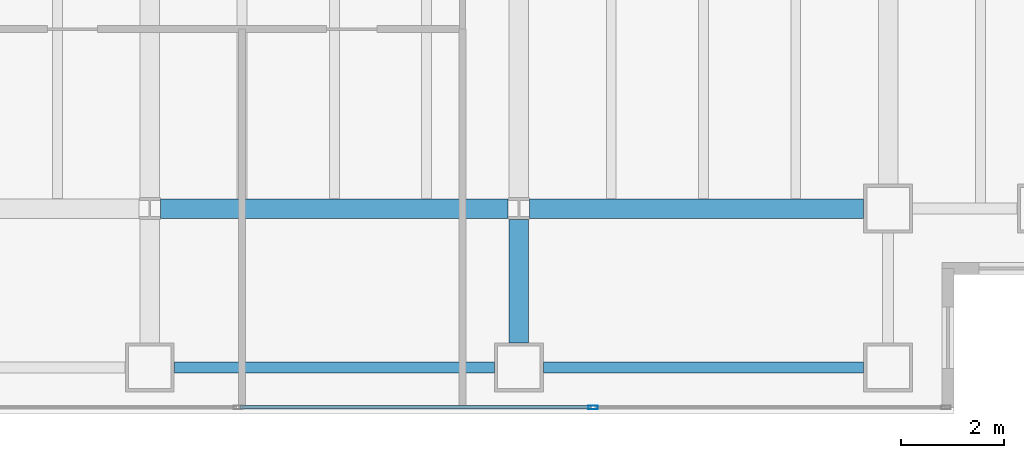
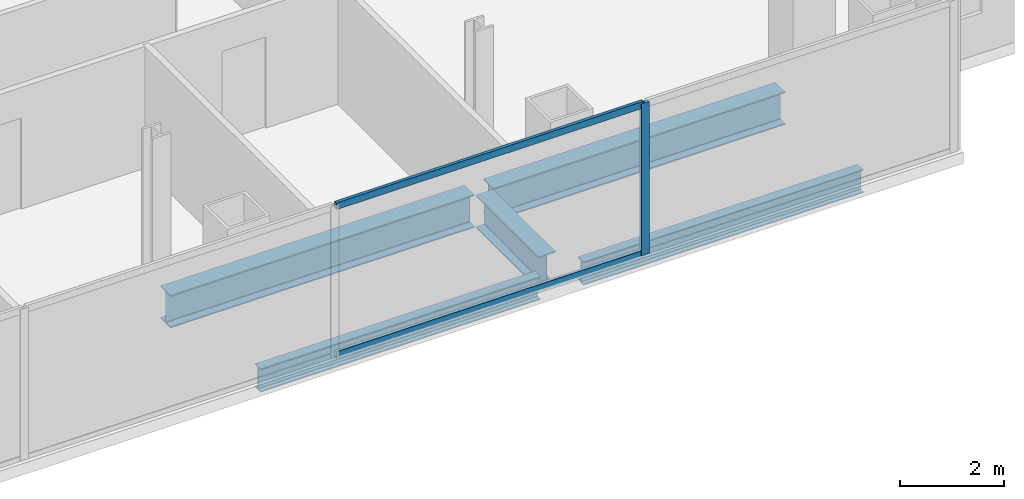
# One storey, part 9 of 23: 5 beams, 3 members, 1 element without a shape of its own.
"""IFC4 building model written with IfcOpenShell, lengths in metres."""

from ifc_helpers import new_model, si_unit, direction, frame, origin, origin_2d, place, context, subcontext, project, spatial, hollow_rectangle, i_section, extrude, material, material_profile, profile_set, type_object, element, aggregate, save


model = new_model("IFC4")

# Units and contexts
model_context = context("Model", 3, precision=1e-05, world=origin(), true_north=direction((0.0, 1.0)))
body_context = subcontext(model_context, "Body", "Model", "MODEL_VIEW")
ifc_project = project(units=[si_unit("LENGTHUNIT", "METRE"), si_unit("AREAUNIT", "SQUARE_METRE"), si_unit("VOLUMEUNIT", "CUBIC_METRE"), si_unit("PLANEANGLEUNIT", "RADIAN"), si_unit("MASSUNIT", "GRAM", prefix="KILO")], contexts=[model_context])

# Site, building, storey
site_placement = place(None, origin())
site = spatial("IfcSite", under=ifc_project, at=site_placement, CompositionType="ELEMENT")
building_placement = place(site_placement, origin())
building = spatial("IfcBuilding", under=site, at=building_placement, Name="Cobrela Telecom Tower", CompositionType="ELEMENT")
storey_placement = place(building_placement, frame((0.0, 0.0, 113.75)))
storey = spatial("IfcBuildingStorey", under=building, at=storey_placement, Name="L28", CompositionType="ELEMENT", Elevation=113.75)

# Beams
ifc_material_1 = material(Name="Steel ASTM A992 Grade 50", Category="steel")
ifc_material_profile_1 = material_profile(ifc_material_1, i_section(OverallWidth=0.381103515625, OverallDepth=0.77197265625, WebThickness=0.0166015625, FlangeThickness=0.027099609375, FilletRadius=0.01904296875, at=origin_2d()), Name="W30X173")
ifc_profile_set_1 = profile_set([ifc_material_profile_1], Name="Steel ASTM A992 Grade 50")
beam_type_1 = type_object("IfcBeamType", Name="BM-GIRD-04", PredefinedType="USERDEFINED", material=ifc_profile_set_1)
beam_1_placement = place(storey_placement, frame((29.009521484375, 7.199951171875, -0.656005859375), z_axis=(1.0, 0.0, 0.0), x_axis=(0.0, 1.0, 0.0)))
element("IfcBeam", 1, at=beam_1_placement, inside=storey, type_object=beam_type_1, Name="L28 Primary Girder X10", ObjectType="GIRDER", PredefinedType="USERDEFINED", context=body_context, shape_type="SweptSolid", body=[
    extrude(i_section(OverallWidth=0.381103515625, OverallDepth=0.77197265625, WebThickness=0.0166015625, FlangeThickness=0.027099609375, FilletRadius=0.01904296875, at=origin_2d()), origin(), (0.0, 0.0, 1.0), 6.781005859375),
])
beam_2_placement = place(storey_placement, frame((36.20947265625, 7.199951171875, -0.656005859375), z_axis=(1.0, 0.0, 0.0), x_axis=(0.0, 1.0, 0.0)))
element("IfcBeam", 2, at=beam_2_placement, inside=storey, type_object=beam_type_1, Name="L28 Primary Girder X11", ObjectType="GIRDER", PredefinedType="USERDEFINED", context=body_context, shape_type="SweptSolid", body=[
    extrude(i_section(OverallWidth=0.381103515625, OverallDepth=0.77197265625, WebThickness=0.0166015625, FlangeThickness=0.027099609375, FilletRadius=0.01904296875, at=origin_2d()), origin(), (0.0, 0.0, 1.0), 6.510498046875),
])
beam_3_placement = place(storey_placement, frame((36.0, 4.580078125, -0.656005859375), z_axis=(0.0, 1.0, 0.0), x_axis=(-1.0, 0.0, 0.0)))
element("IfcBeam", 3, at=beam_3_placement, inside=storey, type_object=beam_type_1, Name="L28 Primary Girder Y49", ObjectType="GIRDER", PredefinedType="USERDEFINED", context=body_context, shape_type="SweptSolid", body=[
    extrude(i_section(OverallWidth=0.381103515625, OverallDepth=0.77197265625, WebThickness=0.0166015625, FlangeThickness=0.027099609375, FilletRadius=0.01904296875, at=origin_2d()), origin(), (0.0, 0.0, 1.0), 2.410400390625),
])
ifc_material_profile_2 = material_profile(ifc_material_1, i_section(OverallWidth=0.212890625, OverallDepth=0.549072265625, WebThickness=0.0146484375, FlangeThickness=0.023681640625, FilletRadius=0.013916015625, at=origin_2d()), Name="W21X93")
ifc_profile_set_2 = profile_set([ifc_material_profile_2], Name="Steel ASTM A992 Grade 50")
beam_type_2 = type_object("IfcBeamType", Name="BM-SPAND-03", PredefinedType="SPANDREL", material=ifc_profile_set_2)
for number, where, z_axis, x_axis, name in (
    (4, (29.280029296875, 4.10009765625, -0.54443359375), (1.0, 0.0, 0.0), (0.0, 1.0, 0.0), "L28 Perimeter Spandrel X04"),
    (5, (36.47998046875, 4.10009765625, -0.54443359375), (1.0, 0.0, 0.0), (0.0, 1.0, 0.0), "L28 Perimeter Spandrel X05"),
):
    element("IfcBeam", number, at=place(storey_placement, frame(where, z_axis=z_axis, x_axis=x_axis)), inside=storey, type_object=beam_type_2, Name=name, PredefinedType="SPANDREL", context=body_context, shape_type="SweptSolid", body=[
        extrude(i_section(OverallWidth=0.212890625, OverallDepth=0.549072265625, WebThickness=0.0146484375, FlangeThickness=0.023681640625, FilletRadius=0.013916015625, at=origin_2d()), origin(), (0.0, 0.0, 1.0), 6.239990234375),
    ])

# Curtain wall, members
ifc_material_2 = material(Name="Anodized Bronze Aluminium 6063-T6", Category="aluminium")
curtain_wall_type = type_object("IfcCurtainWallType", Name="CW-SYS-TEL", PredefinedType="USERDEFINED", material=ifc_material_2)
curtain_wall_placement = place(storey_placement, origin())
curtain_wall = element("IfcCurtainWall", 6, at=curtain_wall_placement, inside=storey, type_object=curtain_wall_type, Name="L28 Unitised Bronze Curtain Wall 17", ObjectType="UNITISED CURTAIN WALL", PredefinedType="USERDEFINED")
ifc_material_profile_3 = material_profile(ifc_material_2, hollow_rectangle(XDim=0.074951171875, YDim=0.179931640625, WallThickness=0.00390625, at=origin_2d()), Name="ALU 75x180x4")
ifc_profile_set_3 = profile_set([ifc_material_profile_3], Name="Anodized Bronze Aluminium 6063-T6")
member_type_1 = type_object("IfcMemberType", Name="CW-SYS-TEL-MUL", PredefinedType="MULLION", material=ifc_profile_set_3)
member_1_placement = place(storey_placement, frame((37.44677734375, 3.320068359375, 0.0), z_axis=(0.0, 0.0, 1.0), x_axis=(0.0, -1.0, 0.0)))
member_1 = element("IfcMember", 7, at=member_1_placement, type_object=member_type_1, Name="CW-TEL mullion 2", PredefinedType="MULLION", context=body_context, shape_type="SweptSolid", body=[
    extrude(hollow_rectangle(XDim=0.074951171875, YDim=0.179931640625, WallThickness=0.00390625, at=origin_2d()), origin(), (0.0, 0.0, 1.0), 3.580078125),
])
ifc_material_profile_4 = material_profile(ifc_material_2, hollow_rectangle(XDim=0.070068359375, YDim=0.159912109375, WallThickness=0.00390625, at=origin_2d()), Name="ALU 70x160x4")
ifc_profile_set_4 = profile_set([ifc_material_profile_4], Name="Anodized Bronze Aluminium 6063-T6")
member_type_2 = type_object("IfcMemberType", Name="CW-SYS-TEL-TRN", PredefinedType="USERDEFINED", material=ifc_profile_set_4)
member_2_placement = place(storey_placement, frame((37.4091796875, 3.320068359375, 0.034912109375), z_axis=(-1.0, 0.0, 0.0), x_axis=(0.0, -1.0, 0.0)))
member_2 = element("IfcMember", 8, at=member_2_placement, type_object=member_type_2, Name="CW-TEL transom 2.1", ObjectType="TRANSOM", PredefinedType="USERDEFINED", context=body_context, shape_type="SweptSolid", body=[
    extrude(hollow_rectangle(XDim=0.070068359375, YDim=0.159912109375, WallThickness=0.00390625, at=origin_2d()), origin(), (0.0, 0.0, 1.0), 6.848388671875),
])
member_3_placement = place(storey_placement, frame((37.4091796875, 3.320068359375, 3.544921875), z_axis=(-1.0, 0.0, 0.0), x_axis=(0.0, -1.0, 0.0)))
member_3 = element("IfcMember", 9, at=member_3_placement, type_object=member_type_2, Name="CW-TEL transom 2.2", ObjectType="TRANSOM", PredefinedType="USERDEFINED", context=body_context, shape_type="SweptSolid", body=[
    extrude(hollow_rectangle(XDim=0.070068359375, YDim=0.159912109375, WallThickness=0.00390625, at=origin_2d()), origin(), (0.0, 0.0, 1.0), 6.848388671875),
])
aggregate(curtain_wall, [member_1, member_2, member_3])

save(model, "model.ifc")
